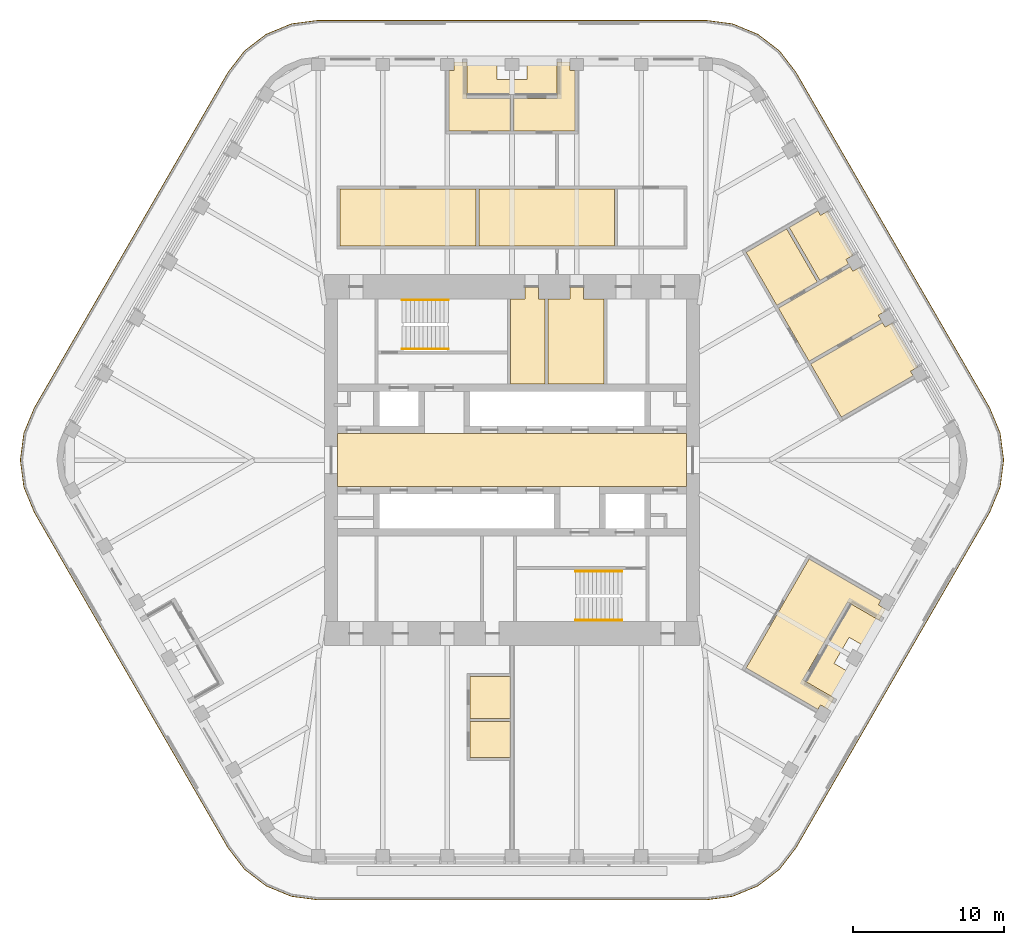
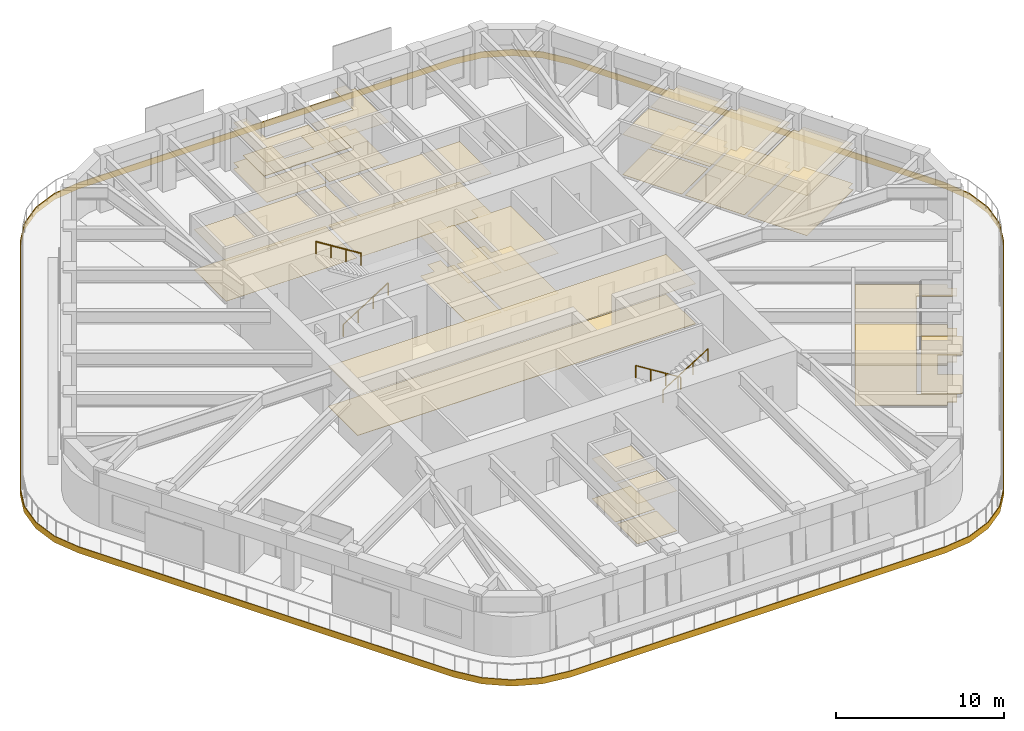
# One storey, part 18 of 19: 11 coverings, 4 railings.
"""IFC4 building model written with IfcOpenShell, lengths in metres."""

from ifc_helpers import new_model, si_unit, direction, frame, origin, origin_2d, place, context, subcontext, project, spatial, polyline, circle, outline, extrude, material, layer, layer_set, type_object, element, save


model = new_model("IFC4")

# Units and contexts
model_context = context("Model", 3, precision=1e-05, world=origin(), true_north=direction((0.0, 1.0)))
body_context = subcontext(model_context, "Body", "Model", "MODEL_VIEW")
ifc_project = project(units=[si_unit("LENGTHUNIT", "METRE"), si_unit("AREAUNIT", "SQUARE_METRE"), si_unit("VOLUMEUNIT", "CUBIC_METRE"), si_unit("PLANEANGLEUNIT", "RADIAN"), si_unit("MASSUNIT", "GRAM", prefix="KILO")], contexts=[model_context])

# Site, building, storey
site_placement = place(None, origin())
site = spatial("IfcSite", under=ifc_project, at=site_placement, CompositionType="ELEMENT")
building_placement = place(site_placement, origin())
building = spatial("IfcBuilding", under=site, at=building_placement, Name="Tarfa Lantern Tower", CompositionType="ELEMENT")
storey_placement = place(building_placement, frame((0.0, 0.0, 370.300048828125)))
storey = spatial("IfcBuildingStorey", under=building, at=storey_placement, Name="L84", CompositionType="ELEMENT", Elevation=370.300048828125)

# Coverings
ifc_material_1 = material(Name="Mineral fibre acoustic tile on suspension grid", Category="finish")
ifc_layer_1 = layer(ifc_material_1, 0.02001953125)
ifc_layer_set_1 = layer_set([ifc_layer_1], Name="CL1 ACOUSTIC TILE CEILING 20")
covering_type_1 = type_object("IfcCoveringType", Name="CL1 ACOUSTIC TILE CEILING 20", PredefinedType="CEILING", material=ifc_layer_set_1)
covering_1_placement = place(storey_placement, frame((0.0, 0.0, 2.89990234375)))
element("IfcCovering", 1, at=covering_1_placement, inside=storey, type_object=covering_type_1, Name="Ceiling L84 CL1", PredefinedType="CEILING", context=body_context, shape_type="SweptSolid", body=[
    extrude(outline(polyline([(-11.39990234375, 18.0), (-2.39990234375, 18.0), (-2.39990234375, 14.199951171875), (-11.39990234375, 14.199951171875), (-11.39990234375, 18.0)])), origin(), (0.0, 0.0, 1.0), 0.02001953125),
    extrude(outline(polyline([(4.18212890625, 21.85009765625), (0.10009765625, 21.85009765625), (0.10009765625, 24.0), (2.98193359375, 24.0), (2.98193359375, 26.39990234375), (3.83203125, 26.39990234375), (3.83203125, 25.85009765625), (4.18212890625, 25.85009765625), (4.18212890625, 21.85009765625)])), origin(), (0.0, 0.0, 1.0), 0.02001953125),
    extrude(outline(polyline([(-2.98193359375, 24.0), (-0.10009765625, 24.0), (-0.10009765625, 21.85009765625), (-4.18212890625, 21.85009765625), (-4.18212890625, 25.85009765625), (-3.83203125, 25.85009765625), (-3.83203125, 26.39990234375), (-2.98193359375, 26.39990234375), (-2.98193359375, 24.0)])), origin(), (0.0, 0.0, 1.0), 0.02001953125),
    extrude(outline(polyline([(17.673583984375, 10.08837890625), (22.436767578125, 12.83837890625), (22.61181640625, 12.535400390625), (23.088134765625, 12.810302734375), (24.779052734375, 9.88134765625), (24.302734375, 9.6064453125), (24.477783203125, 9.30322265625), (19.714599609375, 6.55322265625), (17.673583984375, 10.08837890625)])), origin(), (0.0, 0.0, 1.0), 0.02001953125),
    extrude(outline(polyline([(18.390380859375, 15.44677734375), (20.295654296875, 16.546630859375), (20.470703125, 16.24365234375), (20.947021484375, 16.5185546875), (22.63818359375, 13.589599609375), (22.161865234375, 13.314697265625), (22.336669921875, 13.01171875), (20.431396484375, 11.91162109375), (18.390380859375, 15.44677734375)])), origin(), (0.0, 0.0, 1.0), 0.02001953125),
    extrude(outline(polyline([(19.714599609375, -6.55322265625), (24.477783203125, -9.30322265625), (24.302734375, -9.6064453125), (24.779052734375, -9.88134765625), (24.35400390625, -10.617431640625), (22.275634765625, -9.41748046875), (19.293701171875, -14.58251953125), (21.3720703125, -15.782470703125), (20.947021484375, -16.5185546875), (20.470703125, -16.24365234375), (20.295654296875, -16.546630859375), (15.53271484375, -13.796630859375), (19.714599609375, -6.55322265625)])), origin(), (0.0, 0.0, 1.0), 0.02001953125),
    extrude(outline(polyline([(-2.800048828125, -17.142578125), (-2.800048828125, -14.342529296875), (-0.10009765625, -14.342529296875), (-0.10009765625, -17.142578125), (-2.800048828125, -17.142578125)])), origin(), (0.0, 0.0, 1.0), 0.02001953125),
    extrude(outline(polyline([(-2.800048828125, -19.742431640625), (-2.800048828125, -17.342529296875), (-0.10009765625, -17.342529296875), (-0.10009765625, -19.742431640625), (-2.800048828125, -19.742431640625)])), origin(), (0.0, 0.0, 1.0), 0.02001953125),
    extrude(outline(polyline([(-2.199951171875, 18.0), (6.800048828125, 18.0), (6.800048828125, 14.199951171875), (-2.199951171875, 14.199951171875), (-2.199951171875, 18.0)])), origin(), (0.0, 0.0, 1.0), 0.02001953125),
    extrude(outline(polyline([(19.814697265625, 6.380126953125), (24.577880859375, 9.130126953125), (24.752685546875, 8.826904296875), (25.22900390625, 9.10205078125), (26.920166015625, 6.173095703125), (26.44384765625, 5.89794921875), (26.61865234375, 5.594970703125), (21.855712890625, 2.844970703125), (19.814697265625, 6.380126953125)])), origin(), (0.0, 0.0, 1.0), 0.02001953125),
    extrude(outline(polyline([(15.53271484375, 13.796630859375), (18.21728515625, 15.3466796875), (20.25830078125, 11.8115234375), (17.57373046875, 10.26171875), (15.53271484375, 13.796630859375)])), origin(), (0.0, 0.0, 1.0), 0.02001953125),
])
ifc_material_2 = material(Name="Moisture-resistant plasterboard", Category="finish")
ifc_layer_2 = layer(ifc_material_2, 0.014892578125)
ifc_layer_set_2 = layer_set([ifc_layer_2], Name="CL2 MOISTURE-RESISTANT PLASTERBOARD CEILING 15")
covering_type_2 = type_object("IfcCoveringType", Name="CL2 MOISTURE-RESISTANT PLASTERBOARD CEILING 15", PredefinedType="CEILING", material=ifc_layer_set_2)
covering_2_placement = place(storey_placement, frame((0.0, 0.0, 2.89990234375)))
element("IfcCovering", 2, at=covering_2_placement, inside=storey, type_object=covering_type_2, Name="Ceiling L84-05", PredefinedType="CEILING", context=body_context, shape_type="SweptSolid", body=[
    extrude(outline(polyline([(0.85009765625, 10.699951171875), (-0.10009765625, 10.699951171875), (-0.10009765625, 5.050048828125), (2.199951171875, 5.050048828125), (2.199951171875, 10.699951171875), (1.75, 10.699951171875), (1.75, 11.5), (0.85009765625, 11.5), (0.85009765625, 10.699951171875)])), origin(), (0.0, 0.0, 1.0), 0.01513671875),
])
covering_3_placement = place(storey_placement, frame((0.0, 0.0, 2.89990234375)))
element("IfcCovering", 3, at=covering_3_placement, inside=storey, type_object=covering_type_2, Name="Ceiling L84-06", PredefinedType="CEILING", context=body_context, shape_type="SweptSolid", body=[
    extrude(outline(polyline([(2.39990234375, 5.050048828125), (6.10009765625, 5.050048828125), (6.10009765625, 10.699951171875), (4.75, 10.699951171875), (4.75, 11.5), (3.85009765625, 11.5), (3.85009765625, 10.699951171875), (2.39990234375, 10.699951171875), (2.39990234375, 5.050048828125)])), origin(), (0.0, 0.0, 1.0), 0.01513671875),
])
ifc_material_3 = material(Name="Powder-coated aluminium panel", Category="aluminium")
ifc_layer_3 = layer(ifc_material_3, 0.030029296875)
ifc_layer_set_3 = layer_set([ifc_layer_3], Name="CL3 METAL PANEL CEILING 30")
covering_type_3 = type_object("IfcCoveringType", Name="CL3 METAL PANEL CEILING 30", PredefinedType="CEILING", material=ifc_layer_set_3)
covering_4_placement = place(storey_placement, frame((0.0, 0.0, 2.89990234375)))
element("IfcCovering", 4, at=covering_4_placement, inside=storey, type_object=covering_type_3, Name="Ceiling L84-01", PredefinedType="CEILING", context=body_context, shape_type="SweptSolid", body=[
    extrude(outline(polyline([(-11.574951171875, -1.75), (11.574951171875, -1.75), (11.574951171875, 1.75), (-11.574951171875, 1.75), (-11.574951171875, -1.75)])), origin(), (0.0, 0.0, 1.0), 0.030029296875),
])
ifc_material_4 = material(Name="Nylon carpet tile", Category="finish")
ifc_layer_4 = layer(ifc_material_4, 0.010009765625)
ifc_layer_set_4 = layer_set([ifc_layer_4], Name="FL1 CARPET TILE 10")
covering_type_4 = type_object("IfcCoveringType", Name="FL1 CARPET TILE 10", PredefinedType="FLOORING", material=ifc_layer_set_4)
covering_5_placement = place(storey_placement, origin())
element("IfcCovering", 5, at=covering_5_placement, inside=storey, type_object=covering_type_4, Name="Floor finish L84 FL1", PredefinedType="FLOORING", context=body_context, shape_type="SweptSolid", body=[
    extrude(outline(polyline([(-11.39990234375, 18.0), (-2.39990234375, 18.0), (-2.39990234375, 14.199951171875), (-11.39990234375, 14.199951171875), (-11.39990234375, 18.0)])), origin(), (0.0, 0.0, 1.0), 0.010009765625),
    extrude(outline(polyline([(4.18212890625, 21.85009765625), (0.10009765625, 21.85009765625), (0.10009765625, 24.0), (2.98193359375, 24.0), (2.98193359375, 26.39990234375), (3.83203125, 26.39990234375), (3.83203125, 25.85009765625), (4.18212890625, 25.85009765625), (4.18212890625, 21.85009765625)])), origin(), (0.0, 0.0, 1.0), 0.010009765625),
    extrude(outline(polyline([(-2.98193359375, 24.0), (-0.10009765625, 24.0), (-0.10009765625, 21.85009765625), (-4.18212890625, 21.85009765625), (-4.18212890625, 25.85009765625), (-3.83203125, 25.85009765625), (-3.83203125, 26.39990234375), (-2.98193359375, 26.39990234375), (-2.98193359375, 24.0)])), origin(), (0.0, 0.0, 1.0), 0.010009765625),
    extrude(outline(polyline([(17.673583984375, 10.08837890625), (22.436767578125, 12.83837890625), (22.61181640625, 12.535400390625), (23.088134765625, 12.810302734375), (24.779052734375, 9.88134765625), (24.302734375, 9.6064453125), (24.477783203125, 9.30322265625), (19.714599609375, 6.55322265625), (17.673583984375, 10.08837890625)])), origin(), (0.0, 0.0, 1.0), 0.010009765625),
    extrude(outline(polyline([(18.390380859375, 15.44677734375), (20.295654296875, 16.546630859375), (20.470703125, 16.24365234375), (20.947021484375, 16.5185546875), (22.63818359375, 13.589599609375), (22.161865234375, 13.314697265625), (22.336669921875, 13.01171875), (20.431396484375, 11.91162109375), (18.390380859375, 15.44677734375)])), origin(), (0.0, 0.0, 1.0), 0.010009765625),
    extrude(outline(polyline([(19.714599609375, -6.55322265625), (24.477783203125, -9.30322265625), (24.302734375, -9.6064453125), (24.779052734375, -9.88134765625), (24.35400390625, -10.617431640625), (22.275634765625, -9.41748046875), (19.293701171875, -14.58251953125), (21.3720703125, -15.782470703125), (20.947021484375, -16.5185546875), (20.470703125, -16.24365234375), (20.295654296875, -16.546630859375), (15.53271484375, -13.796630859375), (19.714599609375, -6.55322265625)])), origin(), (0.0, 0.0, 1.0), 0.010009765625),
    extrude(outline(polyline([(-2.800048828125, -17.142578125), (-2.800048828125, -14.342529296875), (-0.10009765625, -14.342529296875), (-0.10009765625, -17.142578125), (-2.800048828125, -17.142578125)])), origin(), (0.0, 0.0, 1.0), 0.010009765625),
    extrude(outline(polyline([(-2.800048828125, -19.742431640625), (-2.800048828125, -17.342529296875), (-0.10009765625, -17.342529296875), (-0.10009765625, -19.742431640625), (-2.800048828125, -19.742431640625)])), origin(), (0.0, 0.0, 1.0), 0.010009765625),
    extrude(outline(polyline([(-2.199951171875, 18.0), (6.800048828125, 18.0), (6.800048828125, 14.199951171875), (-2.199951171875, 14.199951171875), (-2.199951171875, 18.0)])), origin(), (0.0, 0.0, 1.0), 0.010009765625),
    extrude(outline(polyline([(19.814697265625, 6.380126953125), (24.577880859375, 9.130126953125), (24.752685546875, 8.826904296875), (25.22900390625, 9.10205078125), (26.920166015625, 6.173095703125), (26.44384765625, 5.89794921875), (26.61865234375, 5.594970703125), (21.855712890625, 2.844970703125), (19.814697265625, 6.380126953125)])), origin(), (0.0, 0.0, 1.0), 0.010009765625),
    extrude(outline(polyline([(15.53271484375, 13.796630859375), (18.21728515625, 15.3466796875), (20.25830078125, 11.8115234375), (17.57373046875, 10.26171875), (15.53271484375, 13.796630859375)])), origin(), (0.0, 0.0, 1.0), 0.010009765625),
])
ifc_material_5 = material(Name="Honed limestone flooring", Category="masonry")
ifc_layer_5 = layer(ifc_material_5, 0.030029296875)
ifc_layer_set_5 = layer_set([ifc_layer_5], Name="FL2 STONE FLOORING 30")
covering_type_5 = type_object("IfcCoveringType", Name="FL2 STONE FLOORING 30", PredefinedType="FLOORING", material=ifc_layer_set_5)
covering_6_placement = place(storey_placement, origin())
element("IfcCovering", 6, at=covering_6_placement, inside=storey, type_object=covering_type_5, Name="Floor finish L84-01", PredefinedType="FLOORING", context=body_context, shape_type="SweptSolid", body=[
    extrude(outline(polyline([(-11.574951171875, -1.75), (11.574951171875, -1.75), (11.574951171875, 1.75), (-11.574951171875, 1.75), (-11.574951171875, -1.75)])), origin(), (0.0, 0.0, 1.0), 0.030029296875),
])
ifc_material_6 = material(Name="Porcelain floor tile", Category="finish")
ifc_layer_6 = layer(ifc_material_6, 0.011962890625)
ifc_layer_set_6 = layer_set([ifc_layer_6], Name="FL3 CERAMIC TILE 12")
covering_type_6 = type_object("IfcCoveringType", Name="FL3 CERAMIC TILE 12", PredefinedType="FLOORING", material=ifc_layer_set_6)
covering_7_placement = place(storey_placement, origin())
element("IfcCovering", 7, at=covering_7_placement, inside=storey, type_object=covering_type_6, Name="Floor finish L84-05", PredefinedType="FLOORING", context=body_context, shape_type="SweptSolid", body=[
    extrude(outline(polyline([(0.85009765625, 10.699951171875), (-0.10009765625, 10.699951171875), (-0.10009765625, 5.050048828125), (2.199951171875, 5.050048828125), (2.199951171875, 10.699951171875), (1.75, 10.699951171875), (1.75, 11.5), (0.85009765625, 11.5), (0.85009765625, 10.699951171875)])), origin(), (0.0, 0.0, 1.0), 0.011962890625),
])
covering_8_placement = place(storey_placement, origin())
element("IfcCovering", 8, at=covering_8_placement, inside=storey, type_object=covering_type_6, Name="Floor finish L84-06", PredefinedType="FLOORING", context=body_context, shape_type="SweptSolid", body=[
    extrude(outline(polyline([(2.39990234375, 5.050048828125), (6.10009765625, 5.050048828125), (6.10009765625, 10.699951171875), (4.75, 10.699951171875), (4.75, 11.5), (3.85009765625, 11.5), (3.85009765625, 10.699951171875), (2.39990234375, 10.699951171875), (2.39990234375, 5.050048828125)])), origin(), (0.0, 0.0, 1.0), 0.011962890625),
])

# Railings
ifc_material_7 = material(Name="Stainless steel", Category="steel")
railing_type = type_object("IfcRailingType", Name="HR1 HANDRAIL 900", PredefinedType="HANDRAIL", material=ifc_material_7)
railing_1_placement = place(storey_placement, frame((-7.300048828125, 7.3798828125, 0.175048828125)))
element("IfcRailing", 9, at=railing_1_placement, inside=storey, type_object=railing_type, Name="Handrail 1", PredefinedType="HANDRAIL", context=body_context, shape_type="SweptSolid", body=[
    extrude(circle(Radius=0.02392578125, at=origin_2d()), frame((0.0, 0.0, 0.8759765625), z_axis=(0.848028513186, 0.0, 0.529950602248), x_axis=(0.0, 1.0, 0.0)), (0.0, 0.0, 1.0), 3.632080078125),
    extrude(circle(Radius=0.02099609375, at=origin_2d()), frame((0.0, 0.0, 0.0), z_axis=(0.0, 0.0, 1.0), x_axis=(0.0, 1.0, 0.0)), (0.0, 0.0, 1.0), 0.851806640625),
    extrude(circle(Radius=0.02099609375, at=origin_2d()), frame((1.026611328125, 0.0, 0.6416015625), z_axis=(0.0, 0.0, 1.0), x_axis=(0.0, 1.0, 0.0)), (0.0, 0.0, 1.0), 0.851806640625),
    extrude(circle(Radius=0.02099609375, at=origin_2d()), frame((2.053466796875, 0.0, 1.283203125), z_axis=(0.0, 0.0, 1.0), x_axis=(0.0, 1.0, 0.0)), (0.0, 0.0, 1.0), 0.851806640625),
    extrude(circle(Radius=0.02099609375, at=origin_2d()), frame((3.080078125, 0.0, 1.9248046875), z_axis=(0.0, 0.0, 1.0), x_axis=(0.0, 1.0, 0.0)), (0.0, 0.0, 1.0), 0.851806640625),
])
railing_2_placement = place(storey_placement, frame((-4.219970703125, 10.6201171875, 2.27490234375)))
element("IfcRailing", 10, at=railing_2_placement, inside=storey, type_object=railing_type, Name="Handrail 2", PredefinedType="HANDRAIL", context=body_context, shape_type="SweptSolid", body=[
    extrude(circle(Radius=0.02392578125, at=origin_2d()), frame((0.0, 0.0, 0.8759765625), z_axis=(-0.847998304005, 0.0, 0.529998940003), x_axis=(0.0, -1.0, 0.0)), (0.0, 0.0, 1.0), 3.632080078125),
    extrude(circle(Radius=0.02099609375, at=origin_2d()), frame((0.0, 0.0, 0.0), z_axis=(0.0, 0.0, 1.0), x_axis=(0.0, -1.0, 0.0)), (0.0, 0.0, 1.0), 0.851806640625),
    extrude(circle(Radius=0.02099609375, at=origin_2d()), frame((-1.026611328125, 0.0, 0.6416015625), z_axis=(0.0, 0.0, 1.0), x_axis=(0.0, -1.0, 0.0)), (0.0, 0.0, 1.0), 0.851806640625),
    extrude(circle(Radius=0.02099609375, at=origin_2d()), frame((-2.053466796875, 0.0, 1.283447265625), z_axis=(0.0, 0.0, 1.0), x_axis=(0.0, -1.0, 0.0)), (0.0, 0.0, 1.0), 0.851806640625),
    extrude(circle(Radius=0.02099609375, at=origin_2d()), frame((-3.080078125, 0.0, 1.925048828125), z_axis=(0.0, 0.0, 1.0), x_axis=(0.0, -1.0, 0.0)), (0.0, 0.0, 1.0), 0.851806640625),
])
railing_3_placement = place(storey_placement, frame((7.300048828125, -7.3798828125, 0.175048828125)))
element("IfcRailing", 11, at=railing_3_placement, inside=storey, type_object=railing_type, Name="Handrail 1", PredefinedType="HANDRAIL", context=body_context, shape_type="SweptSolid", body=[
    extrude(circle(Radius=0.02392578125, at=origin_2d()), frame((0.0, 0.0, 0.8759765625), z_axis=(-0.848028513186, 0.0, 0.529950602248), x_axis=(0.0, -1.0, 0.0)), (0.0, 0.0, 1.0), 3.632080078125),
    extrude(circle(Radius=0.02099609375, at=origin_2d()), frame((0.0, 0.0, 0.0), z_axis=(0.0, 0.0, 1.0), x_axis=(0.0, -1.0, 0.0)), (0.0, 0.0, 1.0), 0.851806640625),
    extrude(circle(Radius=0.02099609375, at=origin_2d()), frame((-1.026611328125, 0.0, 0.6416015625), z_axis=(0.0, 0.0, 1.0), x_axis=(0.0, -1.0, 0.0)), (0.0, 0.0, 1.0), 0.851806640625),
    extrude(circle(Radius=0.02099609375, at=origin_2d()), frame((-2.053466796875, 0.0, 1.283203125), z_axis=(0.0, 0.0, 1.0), x_axis=(0.0, -1.0, 0.0)), (0.0, 0.0, 1.0), 0.851806640625),
    extrude(circle(Radius=0.02099609375, at=origin_2d()), frame((-3.080078125, 0.0, 1.9248046875), z_axis=(0.0, 0.0, 1.0), x_axis=(0.0, -1.0, 0.0)), (0.0, 0.0, 1.0), 0.851806640625),
])
railing_4_placement = place(storey_placement, frame((4.219970703125, -10.6201171875, 2.27490234375)))
element("IfcRailing", 12, at=railing_4_placement, inside=storey, type_object=railing_type, Name="Handrail 2", PredefinedType="HANDRAIL", context=body_context, shape_type="SweptSolid", body=[
    extrude(circle(Radius=0.02392578125, at=origin_2d()), frame((0.0, 0.0, 0.8759765625), z_axis=(0.847998304005, 0.0, 0.529998940003), x_axis=(0.0, 1.0, 0.0)), (0.0, 0.0, 1.0), 3.632080078125),
    extrude(circle(Radius=0.02099609375, at=origin_2d()), frame((0.0, 0.0, 0.0), z_axis=(0.0, 0.0, 1.0), x_axis=(0.0, 1.0, 0.0)), (0.0, 0.0, 1.0), 0.851806640625),
    extrude(circle(Radius=0.02099609375, at=origin_2d()), frame((1.026611328125, 0.0, 0.6416015625), z_axis=(0.0, 0.0, 1.0), x_axis=(0.0, 1.0, 0.0)), (0.0, 0.0, 1.0), 0.851806640625),
    extrude(circle(Radius=0.02099609375, at=origin_2d()), frame((2.053466796875, 0.0, 1.283447265625), z_axis=(0.0, 0.0, 1.0), x_axis=(0.0, 1.0, 0.0)), (0.0, 0.0, 1.0), 0.851806640625),
    extrude(circle(Radius=0.02099609375, at=origin_2d()), frame((3.080078125, 0.0, 1.925048828125), z_axis=(0.0, 0.0, 1.0), x_axis=(0.0, 1.0, 0.0)), (0.0, 0.0, 1.0), 0.851806640625),
])

# Coverings
ifc_material_8 = material(Name="Porcelain pavers on pedestals", Category="ceramic")
ifc_layer_7 = layer(ifc_material_8, 0.0400390625)
ifc_layer_set_7 = layer_set([ifc_layer_7], Name="LP1 LOGGIA PAVING 40")
covering_type_7 = type_object("IfcCoveringType", Name="LP1 LOGGIA PAVING 40", PredefinedType="FLOORING", material=ifc_layer_set_7)
covering_9_placement = place(storey_placement, origin())
element("IfcCovering", 13, at=covering_9_placement, inside=storey, type_object=covering_type_7, Name="Terrace paving N", PredefinedType="FLOORING", context=body_context, shape_type="SweptSolid", body=[
    extrude(outline(polyline([(2.98193359375, 26.75), (2.98193359375, 24.27001953125), (-2.98193359375, 24.27001953125), (-2.98193359375, 26.75), (-1.0, 26.75), (-1.0, 25.25), (1.0, 25.25), (1.0, 26.75), (2.98193359375, 26.75)])), origin(), (0.0, 0.0, 1.0), 0.0400390625),
])
covering_10_placement = place(storey_placement, origin())
element("IfcCovering", 14, at=covering_10_placement, inside=storey, type_object=covering_type_7, Name="Terrace paving SE", PredefinedType="FLOORING", context=body_context, shape_type="SweptSolid", body=[
    extrude(outline(polyline([(21.67529296875, -15.95751953125), (19.52734375, -14.717529296875), (22.509521484375, -9.552490234375), (24.6572265625, -10.79248046875), (23.666259765625, -12.509033203125), (22.3671875, -11.759033203125), (21.3671875, -13.490966796875), (22.666259765625, -14.240966796875), (21.67529296875, -15.95751953125)])), origin(), (0.0, 0.0, 1.0), 0.0400390625),
])
ifc_material_9 = material(Name="Limestone cladding on brackets", Category="masonry")
ifc_layer_8 = layer(ifc_material_9, 0.050048828125)
ifc_layer_set_8 = layer_set([ifc_layer_8], Name="SB1 STONE BAND CLADDING 50")
covering_type_8 = type_object("IfcCoveringType", Name="SB1 STONE BAND CLADDING 50", PredefinedType="CLADDING", material=ifc_layer_set_8)
covering_11_placement = place(storey_placement, frame((0.0, 0.0, -0.400146484375)))
element("IfcCovering", 15, at=covering_11_placement, inside=storey, type_object=covering_type_8, Name="Stone band", PredefinedType="CLADDING", context=body_context, shape_type="SweptSolid", body=[
    extrude(outline(polyline([(31.7109375, 3.47509765625), (18.864990234375, 25.72509765625), (17.760498046875, 27.164306640625), (16.321044921875, 28.268798828125), (14.644775390625, 28.963134765625), (12.845947265625, 29.199951171875), (-12.845947265625, 29.199951171875), (-14.644775390625, 28.963134765625), (-16.321044921875, 28.268798828125), (-17.760498046875, 27.164306640625), (-18.864990234375, 25.72509765625), (-31.7109375, 3.47509765625), (-32.4052734375, 1.798828125), (-32.64208984375, 0.0), (-32.4052734375, -1.798828125), (-31.7109375, -3.47509765625), (-18.864990234375, -25.72509765625), (-17.760498046875, -27.164306640625), (-16.321044921875, -28.268798828125), (-14.644775390625, -28.963134765625), (-12.845947265625, -29.199951171875), (12.845947265625, -29.199951171875), (14.644775390625, -28.963134765625), (16.321044921875, -28.268798828125), (17.760498046875, -27.164306640625), (18.864990234375, -25.72509765625), (31.7109375, -3.47509765625), (32.4052734375, -1.798828125), (32.64208984375, 0.0), (32.4052734375, 1.798828125), (31.7109375, 3.47509765625)]), holes=[polyline([(31.667724609375, 3.449951171875), (18.821533203125, 25.699951171875), (17.72509765625, 27.129150390625), (16.296142578125, 28.2255859375), (14.6318359375, 28.914794921875), (12.845947265625, 29.14990234375), (-12.845947265625, 29.14990234375), (-14.6318359375, 28.914794921875), (-16.296142578125, 28.2255859375), (-17.72509765625, 27.129150390625), (-18.821533203125, 25.699951171875), (-31.667724609375, 3.449951171875), (-32.35693359375, 1.785888671875), (-32.592041015625, 0.0), (-32.35693359375, -1.785888671875), (-31.667724609375, -3.449951171875), (-18.821533203125, -25.699951171875), (-17.72509765625, -27.129150390625), (-16.296142578125, -28.2255859375), (-14.6318359375, -28.914794921875), (-12.845947265625, -29.14990234375), (12.845947265625, -29.14990234375), (14.6318359375, -28.914794921875), (16.296142578125, -28.2255859375), (17.72509765625, -27.129150390625), (18.821533203125, -25.699951171875), (31.667724609375, -3.449951171875), (32.35693359375, -1.785888671875), (32.592041015625, 0.0), (32.35693359375, 1.785888671875), (31.667724609375, 3.449951171875)])]), origin(), (0.0, 0.0, 1.0), 0.4501953125),
])

save(model, "model.ifc")
